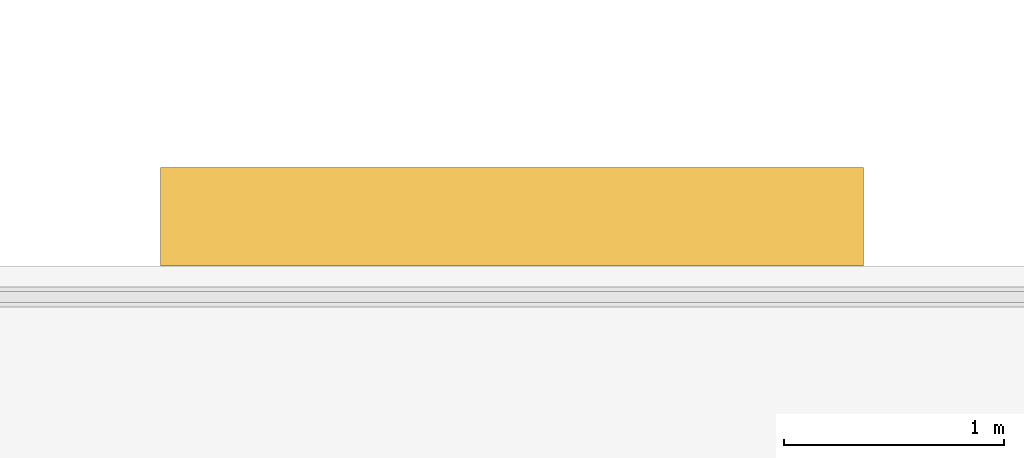
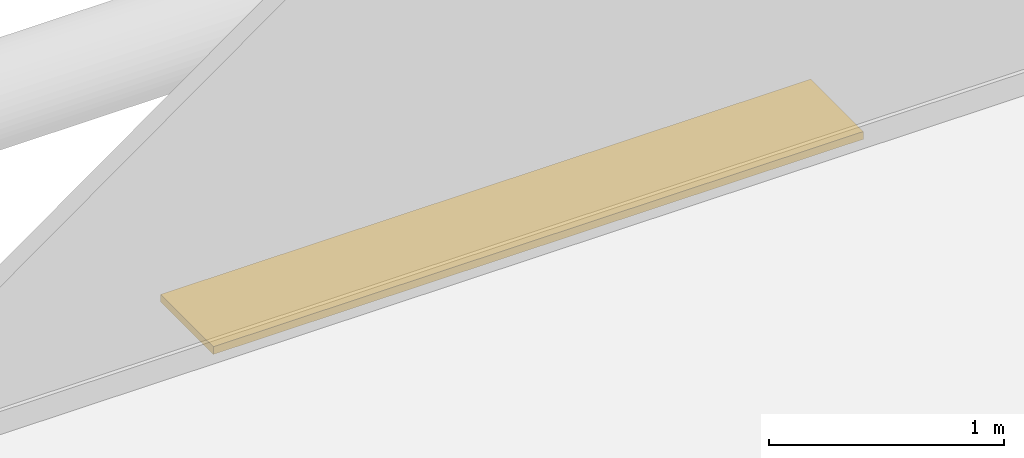
# One storey, part 30 of 30: 1 shading device.
"""IFC4 building model written with IfcOpenShell, lengths in metres."""

from ifc_helpers import new_model, si_unit, direction, frame, origin, origin_2d, place, context, subcontext, project, spatial, rectangle, extrude, material, layer, layer_set, type_object, element, save


model = new_model("IFC4")

# Units and contexts
model_context = context("Model", 3, precision=1e-05, world=origin(), true_north=direction((0.0, 1.0)))
body_context = subcontext(model_context, "Body", "Model", "MODEL_VIEW")
ifc_project = project(units=[si_unit("LENGTHUNIT", "METRE"), si_unit("AREAUNIT", "SQUARE_METRE"), si_unit("VOLUMEUNIT", "CUBIC_METRE"), si_unit("PLANEANGLEUNIT", "RADIAN"), si_unit("MASSUNIT", "GRAM", prefix="KILO")], contexts=[model_context])

# Site, building, storey
site_placement = place(None, origin())
site = spatial("IfcSite", under=ifc_project, at=site_placement, CompositionType="ELEMENT")
building_placement = place(site_placement, origin())
building = spatial("IfcBuilding", under=site, at=building_placement, Name="Zuhravey Tower", CompositionType="ELEMENT")
storey_placement = place(building_placement, frame((0.0, 0.0, 33.0)))
storey = spatial("IfcBuildingStorey", under=building, at=storey_placement, Name="L08", CompositionType="ELEMENT", Elevation=33.0)

# Shading device
ifc_material = material(Name="Bronze-anodised extruded aluminium", Category="aluminium")
ifc_layer = layer(ifc_material, 0.0400390625)
ifc_layer_set = layer_set([ifc_layer], Name="Bronze-anodised extruded aluminium")
shading_device_type = type_object("IfcShadingDeviceType", Name="Horizontal Sunshade Fin", PredefinedType="JALOUSIE", material=ifc_layer_set)
shading_device_placement = place(storey_placement, frame((36.0, 61.323486328125, -0.10009765625), z_axis=(0.0, 0.0, 1.0), x_axis=(1.0, 0.0, 0.0)))
element("IfcShadingDevice", 1, at=shading_device_placement, inside=storey, type_object=shading_device_type, Name="L08 Face 2 Horizontal Sunshade Fin SUN1", PredefinedType="JALOUSIE", context=body_context, shape_type="SweptSolid", body=[
    extrude(rectangle(XDim=3.199951171875, YDim=0.449951171875, at=origin_2d()), origin(), (0.0, 0.0, 1.0), 0.0400390625),
])

save(model, "model.ifc")
